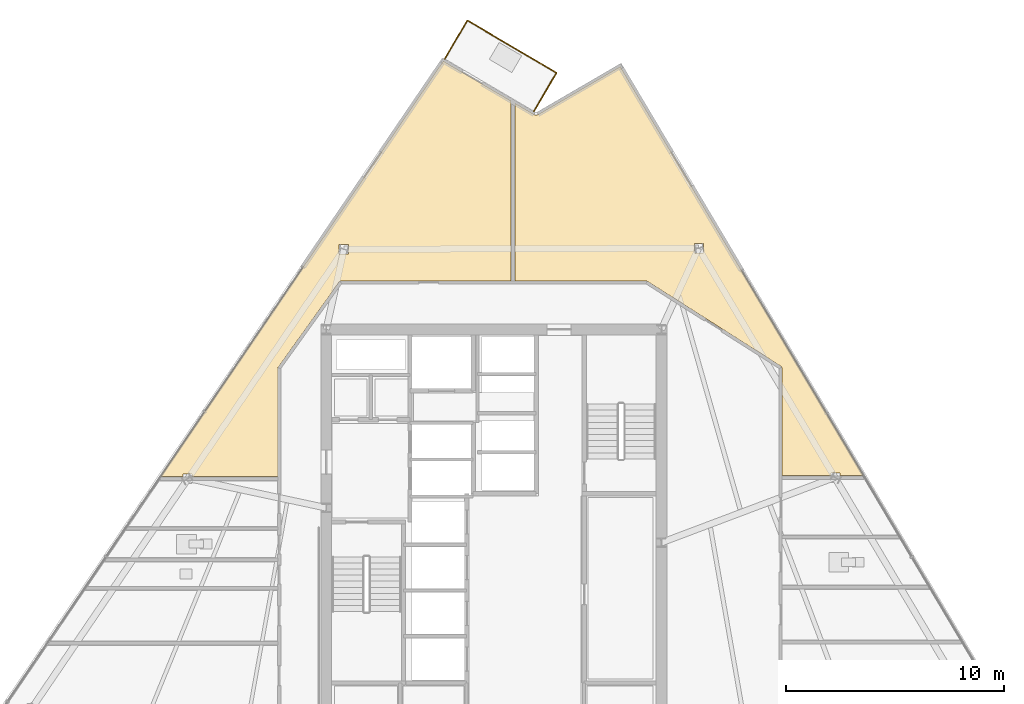
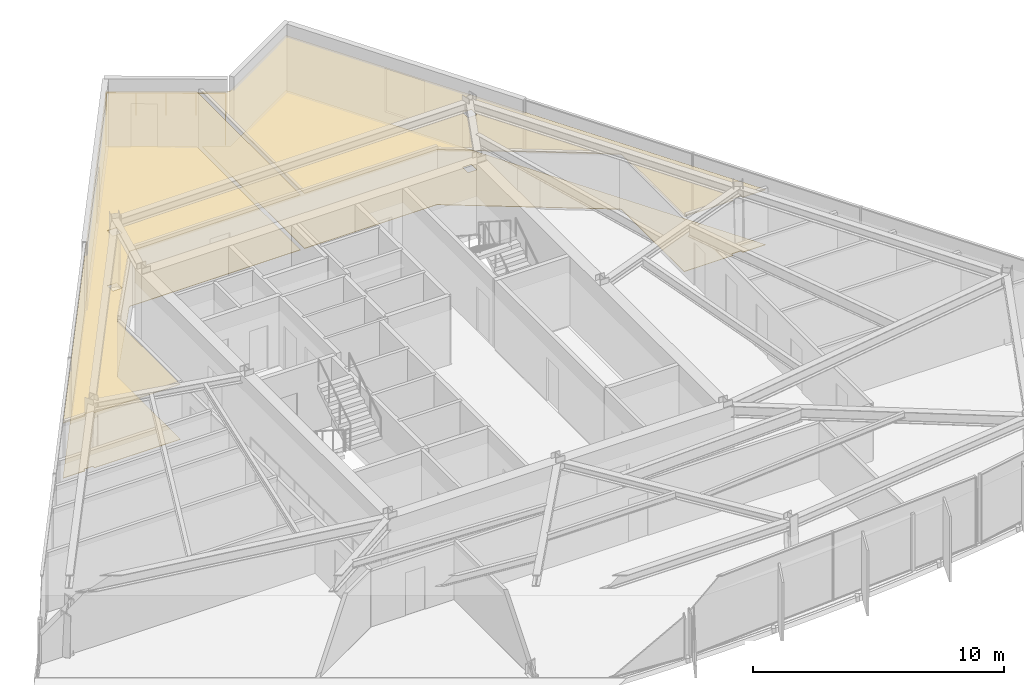
# One storey, part 15 of 16: 4 coverings, 3 railings.
"""IFC4 building model written with IfcOpenShell, lengths in metres."""

from ifc_helpers import new_model, si_unit, direction, frame, origin, origin_2d, place, context, subcontext, project, spatial, polyline, circle, outline, extrude, material, layer, layer_set, type_object, element, save


model = new_model("IFC4")

# Units and contexts
model_context = context("Model", 3, precision=1e-05, world=origin(), true_north=direction((0.0, 1.0)))
body_context = subcontext(model_context, "Body", "Model", "MODEL_VIEW")
ifc_project = project(units=[si_unit("LENGTHUNIT", "METRE"), si_unit("AREAUNIT", "SQUARE_METRE"), si_unit("VOLUMEUNIT", "CUBIC_METRE"), si_unit("PLANEANGLEUNIT", "RADIAN"), si_unit("MASSUNIT", "GRAM", prefix="KILO")], contexts=[model_context])

# Site, building, storey
site_placement = place(None, origin())
site = spatial("IfcSite", under=ifc_project, at=site_placement, CompositionType="ELEMENT")
building_placement = place(site_placement, origin())
building = spatial("IfcBuilding", under=site, at=building_placement, Name="Savorim Split Tower", CompositionType="ELEMENT")
storey_placement = place(building_placement, frame((0.0, 0.0, 153.0)))
storey = spatial("IfcBuildingStorey", under=building, at=storey_placement, Name="L40", CompositionType="ELEMENT", Elevation=153.0)

# Coverings
ifc_material_1 = material(Name="Mineral Fibre Acoustic Ceiling")
ifc_layer_1 = layer(ifc_material_1, 0.02490234375)
ifc_layer_set_1 = layer_set([ifc_layer_1], Name="COV-CEIL-25")
covering_type_1 = type_object("IfcCoveringType", Name="COV-CEIL-25", PredefinedType="CEILING", material=ifc_layer_set_1)
covering_1_placement = place(storey_placement, frame((0.0, 0.0, 2.669921875)))
element("IfcCovering", 1, at=covering_1_placement, inside=storey, type_object=covering_type_1, Name="L40 Co-Working Commons Acoustic Ceiling", PredefinedType="CEILING", context=body_context, shape_type="SweptSolid", body=[
    extrude(outline(polyline([(1.90380859375, 20.049560546875), (1.89306640625, 20.053955078125), (1.8828125, 20.059326171875), (0.973876953125, 20.593505859375), (0.973876953125, 12.419921875), (7.0, 12.419921875), (7.01318359375, 12.41943359375), (7.0263671875, 12.41748046875), (7.0390625, 12.414306640625), (7.051513671875, 12.41015625), (7.063720703125, 12.40478515625), (7.0751953125, 12.398193359375), (13.175048828125, 8.51806640625), (13.1865234375, 8.510009765625), (13.197265625, 8.500732421875), (13.206787109375, 8.490478515625), (13.21533203125, 8.479248046875), (13.22265625, 8.46728515625), (13.22900390625, 8.45458984375), (13.233642578125, 8.44140625), (13.2373046875, 8.427978515625), (13.2392578125, 8.4140625), (13.239990234375, 8.39990234375), (13.239990234375, 3.482666015625), (15.48681640625, 3.482666015625), (15.48681640625, 3.60107421875), (15.910888671875, 3.60107421875), (15.910888671875, 3.482666015625), (16.984130859375, 3.482666015625), (16.98583984375, 3.482666015625), (5.81005859375, 22.27734375), (2.00390625, 20.05908203125), (1.993896484375, 20.0537109375), (1.983154296875, 20.049560546875), (1.971923828125, 20.046142578125), (1.960693359375, 20.0439453125), (1.94921875, 20.04296875), (1.9375, 20.04296875), (1.926025390625, 20.044189453125), (1.914794921875, 20.04638671875), (1.90380859375, 20.049560546875)]), holes=[polyline([(9.639404296875, 14.14794921875), (9.21533203125, 14.14794921875), (9.21533203125, 13.720947265625), (9.639404296875, 13.720947265625), (9.639404296875, 14.14794921875)])]), origin(), (0.0, 0.0, 1.0), 0.025146484375),
])
covering_2_placement = place(storey_placement, frame((0.0, 0.0, 2.669921875)))
element("IfcCovering", 2, at=covering_2_placement, inside=storey, type_object=covering_type_1, Name="L40 Co-Working Commons Acoustic Ceiling", PredefinedType="CEILING", context=body_context, shape_type="SweptSolid", body=[
    extrude(outline(polyline([(-7.0, 12.419921875), (0.783935546875, 12.419921875), (0.783935546875, 20.705078125), (-2.322021484375, 22.530517578125), (-15.313232421875, 3.433837890625), (-14.28564453125, 3.433837890625), (-14.28564453125, 3.55224609375), (-13.861572265625, 3.55224609375), (-13.861572265625, 3.433837890625), (-9.919921875, 3.433837890625), (-9.919921875, 8.39990234375), (-9.919189453125, 8.41455078125), (-9.9169921875, 8.4287109375), (-9.913330078125, 8.44287109375), (-9.908203125, 8.456298828125), (-9.901611328125, 8.46923828125), (-9.893798828125, 8.4814453125), (-7.11376953125, 12.361572265625), (-7.105712890625, 12.3720703125), (-7.096435546875, 12.381591796875), (-7.086181640625, 12.39013671875), (-7.075439453125, 12.39794921875), (-7.06396484375, 12.404541015625), (-7.052001953125, 12.409912109375), (-7.039306640625, 12.414306640625), (-7.0263671875, 12.41748046875), (-7.01318359375, 12.41943359375), (-7.0, 12.419921875)]), holes=[polyline([(-6.686767578125, 14.09912109375), (-7.11083984375, 14.09912109375), (-7.11083984375, 13.672119140625), (-6.686767578125, 13.672119140625), (-6.686767578125, 14.09912109375)])]), origin(), (0.0, 0.0, 1.0), 0.025146484375),
])
ifc_material_2 = material(Name="Porcelain Stoneware Flooring", Category="masonry")
ifc_layer_2 = layer(ifc_material_2, 0.02001953125)
ifc_layer_set_2 = layer_set([ifc_layer_2], Name="COV-FLOR-20")
covering_type_2 = type_object("IfcCoveringType", Name="COV-FLOR-20", PredefinedType="FLOORING", material=ifc_layer_set_2)
covering_3_placement = place(storey_placement, origin())
element("IfcCovering", 3, at=covering_3_placement, inside=storey, type_object=covering_type_2, Name="L40 Co-Working Commons Porcelain Flooring", PredefinedType="FLOORING", context=body_context, shape_type="SweptSolid", body=[
    extrude(outline(polyline([(1.90380859375, 20.049560546875), (1.89306640625, 20.053955078125), (1.8828125, 20.059326171875), (0.973876953125, 20.593505859375), (0.973876953125, 12.419921875), (7.0, 12.419921875), (7.01318359375, 12.41943359375), (7.0263671875, 12.41748046875), (7.0390625, 12.414306640625), (7.051513671875, 12.41015625), (7.063720703125, 12.40478515625), (7.0751953125, 12.398193359375), (13.175048828125, 8.51806640625), (13.1865234375, 8.510009765625), (13.197265625, 8.500732421875), (13.206787109375, 8.490478515625), (13.21533203125, 8.479248046875), (13.22265625, 8.46728515625), (13.22900390625, 8.45458984375), (13.233642578125, 8.44140625), (13.2373046875, 8.427978515625), (13.2392578125, 8.4140625), (13.239990234375, 8.39990234375), (13.239990234375, 3.482666015625), (15.48681640625, 3.482666015625), (15.48681640625, 3.60107421875), (15.910888671875, 3.60107421875), (15.910888671875, 3.482666015625), (16.984130859375, 3.482666015625), (16.98583984375, 3.482666015625), (5.81005859375, 22.27734375), (2.00390625, 20.05908203125), (1.993896484375, 20.0537109375), (1.983154296875, 20.049560546875), (1.971923828125, 20.046142578125), (1.960693359375, 20.0439453125), (1.94921875, 20.04296875), (1.9375, 20.04296875), (1.926025390625, 20.044189453125), (1.914794921875, 20.04638671875), (1.90380859375, 20.049560546875)]), holes=[polyline([(9.639404296875, 14.14794921875), (9.21533203125, 14.14794921875), (9.21533203125, 13.720947265625), (9.639404296875, 13.720947265625), (9.639404296875, 14.14794921875)])]), origin(), (0.0, 0.0, 1.0), 0.02001953125),
])
covering_4_placement = place(storey_placement, origin())
element("IfcCovering", 4, at=covering_4_placement, inside=storey, type_object=covering_type_2, Name="L40 Co-Working Commons Porcelain Flooring", PredefinedType="FLOORING", context=body_context, shape_type="SweptSolid", body=[
    extrude(outline(polyline([(-7.0, 12.419921875), (0.783935546875, 12.419921875), (0.783935546875, 20.705078125), (-2.322021484375, 22.530517578125), (-15.313232421875, 3.433837890625), (-14.28564453125, 3.433837890625), (-14.28564453125, 3.55224609375), (-13.861572265625, 3.55224609375), (-13.861572265625, 3.433837890625), (-9.919921875, 3.433837890625), (-9.919921875, 8.39990234375), (-9.919189453125, 8.41455078125), (-9.9169921875, 8.4287109375), (-9.913330078125, 8.44287109375), (-9.908203125, 8.456298828125), (-9.901611328125, 8.46923828125), (-9.893798828125, 8.4814453125), (-7.11376953125, 12.361572265625), (-7.105712890625, 12.3720703125), (-7.096435546875, 12.381591796875), (-7.086181640625, 12.39013671875), (-7.075439453125, 12.39794921875), (-7.06396484375, 12.404541015625), (-7.052001953125, 12.409912109375), (-7.039306640625, 12.414306640625), (-7.0263671875, 12.41748046875), (-7.01318359375, 12.41943359375), (-7.0, 12.419921875)]), holes=[polyline([(-6.686767578125, 14.09912109375), (-7.11083984375, 14.09912109375), (-7.11083984375, 13.672119140625), (-6.686767578125, 13.672119140625), (-6.686767578125, 14.09912109375)])]), origin(), (0.0, 0.0, 1.0), 0.02001953125),
])

# Railings
ifc_material_3 = material(Name="Galvanised Painted Steel Balustrade", Category="steel")
railing_type = type_object("IfcRailingType", Name="RLG-BAL-1100", PredefinedType="BALUSTRADE", material=ifc_material_3)
railing_1_placement = place(storey_placement, frame((-2.254638671875, 22.630126953125, 0.0)))
element("IfcRailing", 5, at=railing_1_placement, inside=storey, type_object=railing_type, Name="L40 Tree Balcony Guardrail N-1", PredefinedType="BALUSTRADE", context=body_context, shape_type="SweptSolid", body=[
    extrude(circle(Radius=0.02392578125, at=origin_2d()), frame((0.0, 0.0, 1.076171875), z_axis=(0.506681829236, 0.862133124246, 0.0), x_axis=(-0.862133124246, 0.506681829236, 0.0)), (0.0, 0.0, 1.0), 2.05029296875),
    extrude(circle(Radius=0.02099609375, at=origin_2d()), origin(), (0.0, 0.0, 1.0), 1.052001953125),
    extrude(circle(Radius=0.02099609375, at=origin_2d()), frame((0.51953125, 0.8837890625, 0.0)), (0.0, 0.0, 1.0), 1.052001953125),
    extrude(circle(Radius=0.02099609375, at=origin_2d()), frame((1.038818359375, 1.767578125, 0.0)), (0.0, 0.0, 1.0), 1.052001953125),
])
railing_2_placement = place(storey_placement, frame((-1.2158203125, 24.397705078125, 0.0)))
element("IfcRailing", 6, at=railing_2_placement, inside=storey, type_object=railing_type, Name="L40 Tree Balcony Guardrail N-2", PredefinedType="BALUSTRADE", context=body_context, shape_type="SweptSolid", body=[
    extrude(circle(Radius=0.02392578125, at=origin_2d()), frame((0.0, 0.0, 1.076171875), z_axis=(0.862111227973, -0.506719084507, 0.0), x_axis=(0.506719084507, 0.862111227973, 0.0)), (0.0, 0.0, 1.0), 4.749755859375),
    extrude(circle(Radius=0.02099609375, at=origin_2d()), origin(), (0.0, 0.0, 1.0), 1.052001953125),
    extrude(circle(Radius=0.02099609375, at=origin_2d()), frame((1.023681640625, -0.6015625, 0.0)), (0.0, 0.0, 1.0), 1.052001953125),
    extrude(circle(Radius=0.02099609375, at=origin_2d()), frame((2.04736328125, -1.203369140625, 0.0)), (0.0, 0.0, 1.0), 1.052001953125),
    extrude(circle(Radius=0.02099609375, at=origin_2d()), frame((3.071044921875, -1.80517578125, 0.0)), (0.0, 0.0, 1.0), 1.052001953125),
    extrude(circle(Radius=0.02099609375, at=origin_2d()), frame((4.0947265625, -2.40673828125, 0.0)), (0.0, 0.0, 1.0), 1.052001953125),
])
railing_3_placement = place(storey_placement, frame((2.87890625, 21.990966796875, 0.0)))
element("IfcRailing", 7, at=railing_3_placement, inside=storey, type_object=railing_type, Name="L40 Tree Balcony Guardrail N-3", PredefinedType="BALUSTRADE", context=body_context, shape_type="SweptSolid", body=[
    extrude(circle(Radius=0.02392578125, at=origin_2d()), frame((0.0, 0.0, 1.076171875), z_axis=(-0.506733850669, -0.862102548764, 0.0), x_axis=(0.862102548764, -0.506733850669, 0.0)), (0.0, 0.0, 1.0), 2.050048828125),
    extrude(circle(Radius=0.02099609375, at=origin_2d()), origin(), (0.0, 0.0, 1.0), 1.052001953125),
    extrude(circle(Radius=0.02099609375, at=origin_2d()), frame((-0.51953125, -0.8837890625, 0.0)), (0.0, 0.0, 1.0), 1.052001953125),
    extrude(circle(Radius=0.02099609375, at=origin_2d()), frame((-1.038818359375, -1.767333984375, 0.0)), (0.0, 0.0, 1.0), 1.052001953125),
])

save(model, "model.ifc")
